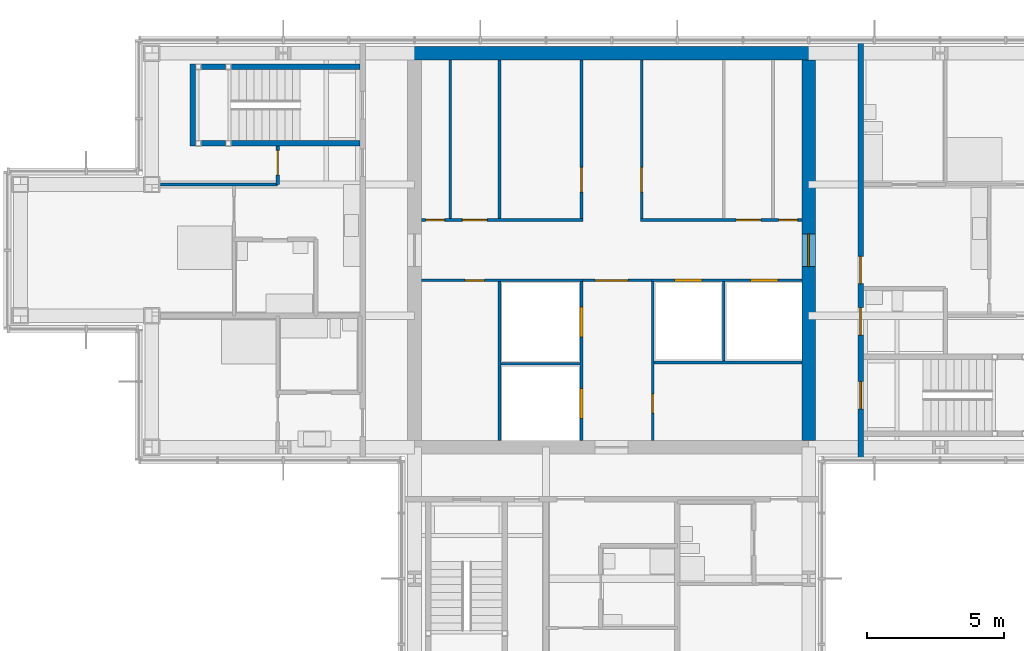
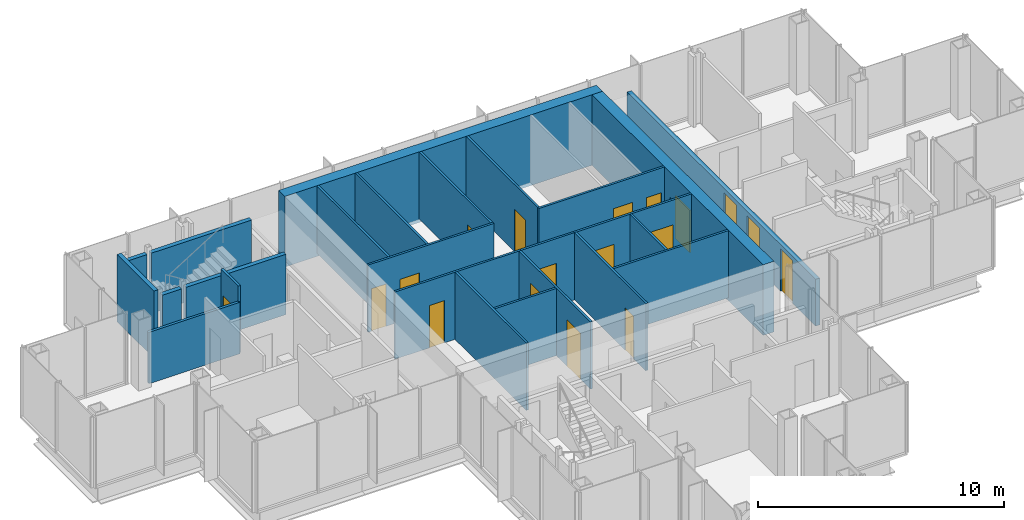
# One storey, part 11 of 15: 25 walls, 18 doors, 18 openings.
"""IFC4 building model written with IfcOpenShell, lengths in metres."""

from ifc_helpers import new_model, si_unit, direction, frame, frame_2d, origin, place, context, subcontext, project, spatial, rectangle, extrude, material, layer, layer_set, type_object, element, fill, save


model = new_model("IFC4")

# Units and contexts
model_context = context("Model", 3, precision=1e-05, world=origin(), true_north=direction((0.0, 1.0)))
body_context = subcontext(model_context, "Body", "Model", "MODEL_VIEW")
ifc_project = project(units=[si_unit("LENGTHUNIT", "METRE"), si_unit("AREAUNIT", "SQUARE_METRE"), si_unit("VOLUMEUNIT", "CUBIC_METRE"), si_unit("PLANEANGLEUNIT", "RADIAN"), si_unit("MASSUNIT", "GRAM", prefix="KILO")], contexts=[model_context])

# Site, building, storey
site_placement = place(None, origin())
site = spatial("IfcSite", under=ifc_project, at=site_placement, CompositionType="ELEMENT")
building_placement = place(site_placement, origin())
building = spatial("IfcBuilding", under=site, at=building_placement, Name="Kvirike Care Tower", CompositionType="ELEMENT")
storey_placement = place(building_placement, frame((0.0, 0.0, 205.0)))
storey = spatial("IfcBuildingStorey", under=building, at=storey_placement, Name="L56", CompositionType="ELEMENT", Elevation=205.0)

# Wall
ifc_material_1 = material(Name="Concrete C40/50", Category="concrete")
ifc_layer_1 = layer(ifc_material_1, 0.5)
ifc_layer_set_1 = layer_set([ifc_layer_1], Name="CORE WALL 500 C40-50")
wall_type_1 = type_object("IfcWallType", Name="CORE WALL 500 C40-50", PredefinedType="SHEAR", material=ifc_layer_set_1)
wall_1_placement = place(storey_placement, frame((29.050048828125, 43.199951171875, -0.169921875), z_axis=(0.0, 0.0, 1.0), x_axis=(-1.0, 0.0, 0.0)))
element("IfcWall", 1, at=wall_1_placement, inside=storey, type_object=wall_type_1, Name="Core wall N L56", PredefinedType="SHEAR", context=body_context, shape_type="SweptSolid", body=[
    extrude(rectangle(XDim=14.900146484375, YDim=0.5, at=frame_2d((7.4501953125, 0.0))), origin(), (0.0, 0.0, 1.0), 3.5),
])

# Wall, opening, door
wall_2_placement = place(storey_placement, frame((28.800048828125, 29.050048828125, -0.169921875), z_axis=(0.0, 0.0, 1.0), x_axis=(0.0, 1.0, 0.0)))
wall_2 = element("IfcWall", 2, at=wall_2_placement, inside=storey, type_object=wall_type_1, Name="Core wall E L56", PredefinedType="SHEAR", context=body_context, shape_type="SweptSolid", body=[
    extrude(rectangle(XDim=13.89990234375, YDim=0.5, at=frame_2d((6.949951171875, 0.0))), origin(), (0.0, 0.0, 1.0), 3.5),
])
opening_1_placement = place(wall_2_placement, frame((6.35009765625, 0.0, 0.169921875)))
opening_1 = element("IfcOpeningElement", 3, at=opening_1_placement, cuts=wall_2, Name="Opening 56-039", PredefinedType="OPENING", context=body_context, shape_type="SweptSolid", body=[
    extrude(rectangle(XDim=1.199951171875, YDim=2.10009765625, at=frame_2d((0.60009765625, 1.050048828125))), frame((0.0, 0.260498046875, 0.0), z_axis=(0.0, -1.0, 0.0), x_axis=(1.0, 0.0, 0.0)), (0.0, 0.0, 1.0), 0.52099609375),
])
ifc_material_2 = material(Name="Timber door set", Category="wood")
door_type_1 = type_object("IfcDoorType", Name="CORE DOOR 1200", OperationType="SINGLE_SWING_LEFT", PredefinedType="DOOR", material=ifc_material_2)
door_1_placement = place(opening_1_placement, origin())
door_1 = element("IfcDoor", 4, at=door_1_placement, inside=storey, type_object=door_type_1, Name="Core door E L56", OperationType="SINGLE_SWING_LEFT", OverallHeight=2.10009765625, OverallWidth=1.199951171875, PredefinedType="DOOR", context=body_context, shape_type="SweptSolid", body=[
    extrude(rectangle(XDim=1.199951171875, YDim=2.10009765625, at=frame_2d((0.60009765625, 1.050048828125))), frame((0.0, 0.02685546875, 0.0), z_axis=(0.0, -1.0, 0.0), x_axis=(1.0, 0.0, 0.0)), (0.0, 0.0, 1.0), 0.053955078125),
])
fill(opening_1, door_1)

# Wall, openings, doors
ifc_material_3 = material(Name="Plasterboard corridor wall", Category="gypsum")
ifc_layer_2 = layer(ifc_material_3, 0.199951171875)
ifc_layer_set_2 = layer_set([ifc_layer_2], Name="CORRIDOR WALL 200")
wall_type_2 = type_object("IfcWallType", Name="CORRIDOR WALL 200", PredefinedType="PARTITIONING", material=ifc_layer_set_2)
wall_3_placement = place(storey_placement, frame((30.699951171875, 28.344970703125, 0.0), z_axis=(0.0, 0.0, 1.0), x_axis=(0.0, 1.0, 0.0)))
wall_3 = element("IfcWall", 5, at=wall_3_placement, inside=storey, type_object=wall_type_2, Name="Corridor Wall 200 L56", PredefinedType="PARTITIONING", context=body_context, shape_type="SweptSolid", body=[
    extrude(rectangle(XDim=15.31005859375, YDim=0.199951171875, at=frame_2d((7.655029296875, 0.0))), origin(), (0.0, 0.0, 1.0), 2.320068359375),
])
opening_2_placement = place(wall_3_placement, frame((1.85498046875, 0.0, 0.0)))
opening_2 = element("IfcOpeningElement", 6, at=opening_2_placement, cuts=wall_3, Name="Opening 56-021", PredefinedType="OPENING", context=body_context, shape_type="SweptSolid", body=[
    extrude(rectangle(XDim=1.0, YDim=2.10009765625, at=frame_2d((0.5, 1.050048828125))), frame((0.0, 0.110595703125, 0.0), z_axis=(0.0, -1.0, 0.0), x_axis=(1.0, 0.0, 0.0)), (0.0, 0.0, 1.0), 0.220947265625),
])
opening_3_placement = place(wall_3_placement, frame((4.554931640625, 0.0, 0.0)))
opening_3 = element("IfcOpeningElement", 7, at=opening_3_placement, cuts=wall_3, Name="Opening 56-022", PredefinedType="OPENING", context=body_context, shape_type="SweptSolid", body=[
    extrude(rectangle(XDim=1.0, YDim=2.10009765625, at=frame_2d((0.5, 1.050048828125))), frame((0.0, 0.110595703125, 0.0), z_axis=(0.0, -1.0, 0.0), x_axis=(1.0, 0.0, 0.0)), (0.0, 0.0, 1.0), 0.220947265625),
])
opening_4_placement = place(wall_3_placement, frame((6.429931640625, 0.0, 0.0)))
opening_4 = element("IfcOpeningElement", 8, at=opening_4_placement, cuts=wall_3, Name="Opening 56-023", PredefinedType="OPENING", context=body_context, shape_type="SweptSolid", body=[
    extrude(rectangle(XDim=1.0, YDim=2.10009765625, at=frame_2d((0.5, 1.050048828125))), frame((0.0, 0.110595703125, 0.0), z_axis=(0.0, -1.0, 0.0), x_axis=(1.0, 0.0, 0.0)), (0.0, 0.0, 1.0), 0.220947265625),
])
ifc_material_4 = material(Name="Timber door set", Category="wood")
door_type_2 = type_object("IfcDoorType", Name="FLAT ENTRANCE DOOR 1000", OperationType="SINGLE_SWING_LEFT", PredefinedType="DOOR", material=ifc_material_4)
door_2_placement = place(opening_4_placement, frame((1.0, 0.0, 0.0), z_axis=(0.0, 0.0, 1.0), x_axis=(-1.0, 0.0, 0.0)))
door_2 = element("IfcDoor", 9, at=door_2_placement, inside=storey, type_object=door_type_2, Name="Two-bedroom apartment entrance", OperationType="SINGLE_SWING_LEFT", OverallHeight=2.10009765625, OverallWidth=1.0, PredefinedType="DOOR", context=body_context, shape_type="SweptSolid", body=[
    extrude(rectangle(XDim=1.0, YDim=2.10009765625, at=frame_2d((0.5, 1.050048828125))), frame((0.0, 0.02685546875, 0.0), z_axis=(0.0, -1.0, 0.0), x_axis=(1.0, 0.0, 0.0)), (0.0, 0.0, 1.0), 0.053955078125),
])
fill(opening_4, door_2)
ifc_material_5 = material(Name="Timber door set", Category="wood")
door_type_3 = type_object("IfcDoorType", Name="STAIR DOOR 1000", OperationType="SINGLE_SWING_LEFT", PredefinedType="DOOR", material=ifc_material_5)
door_3_placement = place(opening_2_placement, frame((1.0, 0.0, 0.0), z_axis=(0.0, 0.0, 1.0), x_axis=(-1.0, 0.0, 0.0)))
door_3 = element("IfcDoor", 10, at=door_3_placement, inside=storey, type_object=door_type_3, Name="Stair 2 door", OperationType="SINGLE_SWING_RIGHT", OverallHeight=2.10009765625, OverallWidth=1.0, PredefinedType="DOOR", context=body_context, shape_type="SweptSolid", body=[
    extrude(rectangle(XDim=1.0, YDim=2.10009765625, at=frame_2d((0.5, 1.050048828125))), frame((0.0, 0.031982421875, 0.0), z_axis=(0.0, -1.0, 0.0), x_axis=(1.0, 0.0, 0.0)), (0.0, 0.0, 1.0), 0.06396484375),
])
fill(opening_2, door_3)
ifc_material_6 = material(Name="Timber door set", Category="wood")
door_type_4 = type_object("IfcDoorType", Name="WC DOOR 1000", OperationType="SINGLE_SWING_LEFT", PredefinedType="DOOR", material=ifc_material_6)
door_4_placement = place(opening_3_placement, frame((1.0, 0.0, 0.0), z_axis=(0.0, 0.0, 1.0), x_axis=(-1.0, 0.0, 0.0)))
door_4 = element("IfcDoor", 11, at=door_4_placement, inside=storey, type_object=door_type_4, Name="Accessible WC door", OperationType="SINGLE_SWING_LEFT", OverallHeight=2.10009765625, OverallWidth=1.0, PredefinedType="DOOR", context=body_context, shape_type="SweptSolid", body=[
    extrude(rectangle(XDim=1.0, YDim=2.10009765625, at=frame_2d((0.5, 1.050048828125))), frame((0.0, 0.02685546875, 0.0), z_axis=(0.0, -1.0, 0.0), x_axis=(1.0, 0.0, 0.0)), (0.0, 0.0, 1.0), 0.053955078125),
])
fill(opening_3, door_4)

# Wall, opening, door
ifc_material_7 = material(Name="Plasterboard partition", Category="gypsum")
ifc_layer_3 = layer(ifc_material_7, 0.1201171875)
ifc_layer_set_3 = layer_set([ifc_layer_3], Name="PARTITION 120")
wall_type_3 = type_object("IfcWallType", Name="PARTITION 120", PredefinedType="PARTITIONING", material=ifc_layer_set_3)
wall_4_placement = place(storey_placement, frame((9.39990234375, 39.800048828125, 0.0), z_axis=(0.0, 0.0, 1.0), x_axis=(0.0, -1.0, 0.0)))
wall_4 = element("IfcWall", 12, at=wall_4_placement, inside=storey, type_object=wall_type_3, Name="Partition 120 L56", PredefinedType="PARTITIONING", context=body_context, shape_type="SweptSolid", body=[
    extrude(rectangle(XDim=1.400146484375, YDim=0.1201171875, at=frame_2d((0.7001953125, 0.0))), origin(), (0.0, 0.0, 1.0), 3.330078125),
])
opening_5_placement = place(wall_4_placement, frame((0.14990234375, 0.0, 0.0)))
opening_5 = element("IfcOpeningElement", 13, at=opening_5_placement, cuts=wall_4, Name="Opening 56-002", PredefinedType="OPENING", context=body_context, shape_type="SweptSolid", body=[
    extrude(rectangle(XDim=0.89990234375, YDim=2.10009765625, at=frame_2d((0.449951171875, 1.050048828125))), frame((0.0, 0.070556640625, 0.0), z_axis=(0.0, -1.0, 0.0), x_axis=(1.0, 0.0, 0.0)), (0.0, 0.0, 1.0), 0.14111328125),
])
ifc_material_8 = material(Name="Timber door set", Category="wood")
door_type_5 = type_object("IfcDoorType", Name="INTERNAL DOOR 900", OperationType="SINGLE_SWING_LEFT", PredefinedType="DOOR", material=ifc_material_8)
door_5_placement = place(opening_5_placement, frame((0.89990234375, 0.0, 0.0), z_axis=(0.0, 0.0, 1.0), x_axis=(-1.0, 0.0, 0.0)))
door_5 = element("IfcDoor", 14, at=door_5_placement, inside=storey, type_object=door_type_5, Name="Apartment living room door", OperationType="SINGLE_SWING_LEFT", OverallHeight=2.10009765625, OverallWidth=0.89990234375, PredefinedType="DOOR", context=body_context, shape_type="SweptSolid", body=[
    extrude(rectangle(XDim=0.89990234375, YDim=2.10009765625, at=frame_2d((0.449951171875, 1.050048828125))), frame((0.0, 0.02197265625, 0.0), z_axis=(0.0, -1.0, 0.0), x_axis=(1.0, 0.0, 0.0)), (0.0, 0.0, 1.0), 0.0439453125),
])
fill(opening_5, door_5)

# Walls
wall_5_placement = place(storey_placement, frame((5.1201171875, 38.39990234375, 0.0), z_axis=(0.0, 0.0, 1.0), x_axis=(1.0, 0.0, 0.0)))
element("IfcWall", 15, at=wall_5_placement, inside=storey, type_object=wall_type_3, Name="Partition 120 L56", PredefinedType="PARTITIONING", context=body_context, shape_type="SweptSolid", body=[
    extrude(rectangle(XDim=4.27978515625, YDim=0.1201171875, at=frame_2d((2.139892578125, 0.0))), origin(), (0.0, 0.0, 1.0), 2.550048828125),
])
ifc_material_9 = material(Name="Gypsum shaft wall system", Category="gypsum")
ifc_layer_4 = layer(ifc_material_9, 0.10009765625)
ifc_layer_set_4 = layer_set([ifc_layer_4], Name="SHAFT WALL 100")
wall_type_4 = type_object("IfcWallType", Name="SHAFT WALL 100", PredefinedType="SOLIDWALL", material=ifc_layer_set_4)
wall_6_placement = place(storey_placement, frame((15.699951171875, 37.14990234375, 0.0), z_axis=(0.0, 0.0, 1.0), x_axis=(0.0, 1.0, 0.0)))
element("IfcWall", 16, at=wall_6_placement, inside=storey, type_object=wall_type_4, Name="Shaft Wall 100 L56", PredefinedType="SOLIDWALL", context=body_context, shape_type="SweptSolid", body=[
    extrude(rectangle(XDim=5.800048828125, YDim=0.10009765625, at=frame_2d((2.89990234375, 0.0))), origin(), (0.0, 0.0, 1.0), 3.330078125),
])

# Wall, openings, doors
wall_7_placement = place(storey_placement, frame((20.5, 29.050048828125, 0.0), z_axis=(0.0, 0.0, 1.0), x_axis=(0.0, 1.0, 0.0)))
wall_7 = element("IfcWall", 17, at=wall_7_placement, inside=storey, type_object=wall_type_4, Name="Shaft Wall 100 L56", PredefinedType="SOLIDWALL", context=body_context, shape_type="SweptSolid", body=[
    extrude(rectangle(XDim=5.800048828125, YDim=0.10009765625, at=frame_2d((2.89990234375, 0.0))), origin(), (0.0, 0.0, 1.0), 3.330078125),
])
opening_6_placement = place(wall_7_placement, frame((0.800048828125, 0.0, 0.0)))
opening_6 = element("IfcOpeningElement", 18, at=opening_6_placement, cuts=wall_7, Name="Opening 56-024", PredefinedType="OPENING", context=body_context, shape_type="SweptSolid", body=[
    extrude(rectangle(XDim=1.10009765625, YDim=2.300048828125, at=frame_2d((0.550048828125, 1.14990234375))), frame((0.0, 0.060546875, 0.0), z_axis=(0.0, -1.0, 0.0), x_axis=(1.0, 0.0, 0.0)), (0.0, 0.0, 1.0), 0.12109375),
])
opening_7_placement = place(wall_7_placement, frame((3.77490234375, 0.0, 0.0)))
opening_7 = element("IfcOpeningElement", 19, at=opening_7_placement, cuts=wall_7, Name="Opening 56-025", PredefinedType="OPENING", context=body_context, shape_type="SweptSolid", body=[
    extrude(rectangle(XDim=1.10009765625, YDim=2.300048828125, at=frame_2d((0.550048828125, 1.14990234375))), frame((0.0, 0.060546875, 0.0), z_axis=(0.0, -1.0, 0.0), x_axis=(1.0, 0.0, 0.0)), (0.0, 0.0, 1.0), 0.12109375),
])
ifc_material_10 = material(Name="Aluminium door frame", Category="aluminium")
door_type_6 = type_object("IfcDoorType", Name="FIRE-FIGHTING LIFT LANDING DOOR 1100", OperationType="SLIDING_TO_LEFT", PredefinedType="DOOR", material=ifc_material_10)
door_6_placement = place(opening_6_placement, origin())
door_6 = element("IfcDoor", 20, at=door_6_placement, inside=storey, type_object=door_type_6, Name="Lift FF1 landing door", OperationType="SLIDING_TO_LEFT", OverallHeight=2.300048828125, OverallWidth=1.10009765625, PredefinedType="DOOR", context=body_context, shape_type="SweptSolid", body=[
    extrude(rectangle(XDim=1.10009765625, YDim=2.300048828125, at=frame_2d((0.550048828125, 1.14990234375))), frame((0.0, 0.0498046875, 0.0), z_axis=(0.0, -1.0, 0.0), x_axis=(1.0, 0.0, 0.0)), (0.0, 0.0, 1.0), 0.099609375),
])
fill(opening_6, door_6)
door_7_placement = place(opening_7_placement, origin())
door_7 = element("IfcDoor", 21, at=door_7_placement, inside=storey, type_object=door_type_6, Name="Lift FF2 landing door", OperationType="SLIDING_TO_LEFT", OverallHeight=2.300048828125, OverallWidth=1.10009765625, PredefinedType="DOOR", context=body_context, shape_type="SweptSolid", body=[
    extrude(rectangle(XDim=1.10009765625, YDim=2.300048828125, at=frame_2d((0.550048828125, 1.14990234375))), frame((0.0, 0.0498046875, 0.0), z_axis=(0.0, -1.0, 0.0), x_axis=(1.0, 0.0, 0.0)), (0.0, 0.0, 1.0), 0.099609375),
])
fill(opening_7, door_7)

# Wall, opening, door
wall_8_placement = place(storey_placement, frame((20.5, 37.14990234375, 0.0), z_axis=(0.0, 0.0, 1.0), x_axis=(0.0, 1.0, 0.0)))
wall_8 = element("IfcWall", 22, at=wall_8_placement, inside=storey, type_object=wall_type_4, Name="Shaft Wall 100 L56", PredefinedType="SOLIDWALL", context=body_context, shape_type="SweptSolid", body=[
    extrude(rectangle(XDim=5.800048828125, YDim=0.10009765625, at=frame_2d((2.89990234375, 0.0))), origin(), (0.0, 0.0, 1.0), 3.330078125),
])
opening_8_placement = place(wall_8_placement, frame((0.97509765625, 0.0, 0.0)))
opening_8 = element("IfcOpeningElement", 23, at=opening_8_placement, cuts=wall_8, Name="Opening 56-026", PredefinedType="OPENING", context=body_context, shape_type="SweptSolid", body=[
    extrude(rectangle(XDim=0.89990234375, YDim=2.10009765625, at=frame_2d((0.449951171875, 1.050048828125))), frame((0.0, 0.060546875, 0.0), z_axis=(0.0, -1.0, 0.0), x_axis=(1.0, 0.0, 0.0)), (0.0, 0.0, 1.0), 0.12109375),
])
ifc_material_11 = material(Name="Timber door set", Category="wood")
door_type_7 = type_object("IfcDoorType", Name="STORE DOOR 900", OperationType="SINGLE_SWING_LEFT", PredefinedType="DOOR", material=ifc_material_11)
door_8_placement = place(opening_8_placement, origin())
door_8 = element("IfcDoor", 24, at=door_8_placement, inside=storey, type_object=door_type_7, Name="Staff room door", OperationType="SINGLE_SWING_RIGHT", OverallHeight=2.10009765625, OverallWidth=0.89990234375, PredefinedType="DOOR", context=body_context, shape_type="SweptSolid", body=[
    extrude(rectangle(XDim=0.89990234375, YDim=2.10009765625, at=frame_2d((0.449951171875, 1.050048828125))), frame((0.0, 0.02685546875, 0.0), z_axis=(0.0, -1.0, 0.0), x_axis=(1.0, 0.0, 0.0)), (0.0, 0.0, 1.0), 0.053955078125),
])
fill(opening_8, door_8)

wall_9_placement = place(storey_placement, frame((22.699951171875, 37.14990234375, 0.0), z_axis=(0.0, 0.0, 1.0), x_axis=(0.0, 1.0, 0.0)))
wall_9 = element("IfcWall", 25, at=wall_9_placement, inside=storey, type_object=wall_type_4, Name="Shaft Wall 100 L56", PredefinedType="SOLIDWALL", context=body_context, shape_type="SweptSolid", body=[
    extrude(rectangle(XDim=5.800048828125, YDim=0.10009765625, at=frame_2d((2.89990234375, 0.0))), origin(), (0.0, 0.0, 1.0), 3.330078125),
])
opening_9_placement = place(wall_9_placement, frame((0.97509765625, 0.0, 0.0)))
opening_9 = element("IfcOpeningElement", 26, at=opening_9_placement, cuts=wall_9, Name="Opening 56-027", PredefinedType="OPENING", context=body_context, shape_type="SweptSolid", body=[
    extrude(rectangle(XDim=0.89990234375, YDim=2.10009765625, at=frame_2d((0.449951171875, 1.050048828125))), frame((0.0, 0.060546875, 0.0), z_axis=(0.0, -1.0, 0.0), x_axis=(1.0, 0.0, 0.0)), (0.0, 0.0, 1.0), 0.12109375),
])
door_9_placement = place(opening_9_placement, frame((0.89990234375, 0.0, 0.0), z_axis=(0.0, 0.0, 1.0), x_axis=(-1.0, 0.0, 0.0)))
door_9 = element("IfcDoor", 27, at=door_9_placement, inside=storey, type_object=door_type_7, Name="Records store door", OperationType="SINGLE_SWING_LEFT", OverallHeight=2.10009765625, OverallWidth=0.89990234375, PredefinedType="DOOR", context=body_context, shape_type="SweptSolid", body=[
    extrude(rectangle(XDim=0.89990234375, YDim=2.10009765625, at=frame_2d((0.449951171875, 1.050048828125))), frame((0.0, 0.02685546875, 0.0), z_axis=(0.0, -1.0, 0.0), x_axis=(1.0, 0.0, 0.0)), (0.0, 0.0, 1.0), 0.053955078125),
])
fill(opening_9, door_9)

wall_10_placement = place(storey_placement, frame((23.10009765625, 29.050048828125, 0.0), z_axis=(0.0, 0.0, 1.0), x_axis=(0.0, 1.0, 0.0)))
wall_10 = element("IfcWall", 28, at=wall_10_placement, inside=storey, type_object=wall_type_4, Name="Shaft Wall 100 L56", PredefinedType="SOLIDWALL", context=body_context, shape_type="SweptSolid", body=[
    extrude(rectangle(XDim=5.800048828125, YDim=0.10009765625, at=frame_2d((2.89990234375, 0.0))), origin(), (0.0, 0.0, 1.0), 3.330078125),
])
opening_10_placement = place(wall_10_placement, frame((1.0, 0.0, 0.0)))
opening_10 = element("IfcOpeningElement", 29, at=opening_10_placement, cuts=wall_10, Name="Opening 56-028", PredefinedType="OPENING", context=body_context, shape_type="SweptSolid", body=[
    extrude(rectangle(XDim=0.699951171875, YDim=2.10009765625, at=frame_2d((0.35009765625, 1.050048828125))), frame((0.0, 0.060546875, 0.0), z_axis=(0.0, -1.0, 0.0), x_axis=(1.0, 0.0, 0.0)), (0.0, 0.0, 1.0), 0.12109375),
])
ifc_material_12 = material(Name="Timber door set", Category="wood")
door_type_8 = type_object("IfcDoorType", Name="RISER DOOR 700", OperationType="SINGLE_SWING_LEFT", PredefinedType="DOOR", material=ifc_material_12)
door_10_placement = place(opening_10_placement, origin())
door_10 = element("IfcDoor", 30, at=door_10_placement, inside=storey, type_object=door_type_8, Name="Riser door", OperationType="SINGLE_SWING_RIGHT", OverallHeight=2.10009765625, OverallWidth=0.699951171875, PredefinedType="DOOR", context=body_context, shape_type="SweptSolid", body=[
    extrude(rectangle(XDim=0.699951171875, YDim=2.10009765625, at=frame_2d((0.35009765625, 1.050048828125))), frame((0.0, 0.02685546875, 0.0), z_axis=(0.0, -1.0, 0.0), x_axis=(1.0, 0.0, 0.0)), (0.0, 0.0, 1.0), 0.053955078125),
])
fill(opening_10, door_10)

wall_11_placement = place(storey_placement, frame((14.64990234375, 34.89990234375, 0.0), z_axis=(0.0, 0.0, 1.0), x_axis=(1.0, 0.0, 0.0)))
wall_11 = element("IfcWall", 31, at=wall_11_placement, inside=storey, type_object=wall_type_4, Name="Shaft Wall 100 L56", PredefinedType="SOLIDWALL", context=body_context, shape_type="SweptSolid", body=[
    extrude(rectangle(XDim=5.900146484375, YDim=0.10009765625, at=frame_2d((2.9501953125, 0.0))), origin(), (0.0, 0.0, 1.0), 3.330078125),
])
opening_11_placement = place(wall_11_placement, frame((1.60009765625, 0.0, 0.0)))
opening_11 = element("IfcOpeningElement", 32, at=opening_11_placement, cuts=wall_11, Name="Opening 56-029", PredefinedType="OPENING", context=body_context, shape_type="SweptSolid", body=[
    extrude(rectangle(XDim=0.699951171875, YDim=2.10009765625, at=frame_2d((0.35009765625, 1.050048828125))), frame((0.0, 0.060546875, 0.0), z_axis=(0.0, -1.0, 0.0), x_axis=(1.0, 0.0, 0.0)), (0.0, 0.0, 1.0), 0.12109375),
])
door_11_placement = place(opening_11_placement, frame((0.699951171875, 0.0, 0.0), z_axis=(0.0, 0.0, 1.0), x_axis=(-1.0, 0.0, 0.0)))
door_11 = element("IfcDoor", 33, at=door_11_placement, inside=storey, type_object=door_type_8, Name="Riser door", OperationType="SINGLE_SWING_RIGHT", OverallHeight=2.10009765625, OverallWidth=0.699951171875, PredefinedType="DOOR", context=body_context, shape_type="SweptSolid", body=[
    extrude(rectangle(XDim=0.699951171875, YDim=2.10009765625, at=frame_2d((0.35009765625, 1.050048828125))), frame((0.0, 0.02685546875, 0.0), z_axis=(0.0, -1.0, 0.0), x_axis=(1.0, 0.0, 0.0)), (0.0, 0.0, 1.0), 0.053955078125),
])
fill(opening_11, door_11)

# Wall, openings, doors
wall_12_placement = place(storey_placement, frame((23.050048828125, 34.89990234375, 0.0), z_axis=(0.0, 0.0, 1.0), x_axis=(1.0, 0.0, 0.0)))
wall_12 = element("IfcWall", 34, at=wall_12_placement, inside=storey, type_object=wall_type_4, Name="Shaft Wall 100 L56", PredefinedType="SOLIDWALL", context=body_context, shape_type="SweptSolid", body=[
    extrude(rectangle(XDim=5.5, YDim=0.10009765625, at=frame_2d((2.75, 0.0))), origin(), (0.0, 0.0, 1.0), 3.330078125),
])
opening_12_placement = place(wall_12_placement, frame((0.85009765625, 0.0, 0.0)))
opening_12 = element("IfcOpeningElement", 35, at=opening_12_placement, cuts=wall_12, Name="Opening 56-030", PredefinedType="OPENING", context=body_context, shape_type="SweptSolid", body=[
    extrude(rectangle(XDim=1.0, YDim=2.10009765625, at=frame_2d((0.5, 1.050048828125))), frame((0.0, 0.060546875, 0.0), z_axis=(0.0, -1.0, 0.0), x_axis=(1.0, 0.0, 0.0)), (0.0, 0.0, 1.0), 0.12109375),
])
opening_13_placement = place(wall_12_placement, frame((3.625, 0.0, 0.0)))
opening_13 = element("IfcOpeningElement", 36, at=opening_13_placement, cuts=wall_12, Name="Opening 56-031", PredefinedType="OPENING", context=body_context, shape_type="SweptSolid", body=[
    extrude(rectangle(XDim=1.0, YDim=2.10009765625, at=frame_2d((0.5, 1.050048828125))), frame((0.0, 0.060546875, 0.0), z_axis=(0.0, -1.0, 0.0), x_axis=(1.0, 0.0, 0.0)), (0.0, 0.0, 1.0), 0.12109375),
])
ifc_material_13 = material(Name="Aluminium door frame", Category="aluminium")
door_type_9 = type_object("IfcDoorType", Name="LIFT LANDING DOOR 1000", OperationType="SLIDING_TO_LEFT", PredefinedType="DOOR", material=ifc_material_13)
door_12_placement = place(opening_12_placement, origin())
door_12 = element("IfcDoor", 37, at=door_12_placement, inside=storey, type_object=door_type_9, Name="Lift P5 landing door", OperationType="SLIDING_TO_LEFT", OverallHeight=2.10009765625, OverallWidth=1.0, PredefinedType="DOOR", context=body_context, shape_type="SweptSolid", body=[
    extrude(rectangle(XDim=1.0, YDim=2.10009765625, at=frame_2d((0.5, 1.050048828125))), frame((0.0, 0.0498046875, 0.0), z_axis=(0.0, -1.0, 0.0), x_axis=(1.0, 0.0, 0.0)), (0.0, 0.0, 1.0), 0.099609375),
])
fill(opening_12, door_12)
door_13_placement = place(opening_13_placement, origin())
door_13 = element("IfcDoor", 38, at=door_13_placement, inside=storey, type_object=door_type_9, Name="Lift P6 landing door", OperationType="SLIDING_TO_LEFT", OverallHeight=2.10009765625, OverallWidth=1.0, PredefinedType="DOOR", context=body_context, shape_type="SweptSolid", body=[
    extrude(rectangle(XDim=1.0, YDim=2.10009765625, at=frame_2d((0.5, 1.050048828125))), frame((0.0, 0.0498046875, 0.0), z_axis=(0.0, -1.0, 0.0), x_axis=(1.0, 0.0, 0.0)), (0.0, 0.0, 1.0), 0.099609375),
])
fill(opening_13, door_13)

wall_13_placement = place(storey_placement, frame((14.64990234375, 37.10009765625, 0.0), z_axis=(0.0, 0.0, 1.0), x_axis=(1.0, 0.0, 0.0)))
wall_13 = element("IfcWall", 39, at=wall_13_placement, inside=storey, type_object=wall_type_4, Name="Shaft Wall 100 L56", PredefinedType="SOLIDWALL", context=body_context, shape_type="SweptSolid", body=[
    extrude(rectangle(XDim=5.900146484375, YDim=0.10009765625, at=frame_2d((2.9501953125, 0.0))), origin(), (0.0, 0.0, 1.0), 3.330078125),
])
opening_14_placement = place(wall_13_placement, frame((0.14990234375, 0.0, 0.0)))
opening_14 = element("IfcOpeningElement", 40, at=opening_14_placement, cuts=wall_13, Name="Opening 56-032", PredefinedType="OPENING", context=body_context, shape_type="SweptSolid", body=[
    extrude(rectangle(XDim=0.699951171875, YDim=2.10009765625, at=frame_2d((0.35009765625, 1.050048828125))), frame((0.0, 0.060546875, 0.0), z_axis=(0.0, -1.0, 0.0), x_axis=(1.0, 0.0, 0.0)), (0.0, 0.0, 1.0), 0.12109375),
])
opening_15_placement = place(wall_13_placement, frame((1.5, 0.0, 0.0)))
opening_15 = element("IfcOpeningElement", 41, at=opening_15_placement, cuts=wall_13, Name="Opening 56-033", PredefinedType="OPENING", context=body_context, shape_type="SweptSolid", body=[
    extrude(rectangle(XDim=0.89990234375, YDim=2.10009765625, at=frame_2d((0.449951171875, 1.050048828125))), frame((0.0, 0.060546875, 0.0), z_axis=(0.0, -1.0, 0.0), x_axis=(1.0, 0.0, 0.0)), (0.0, 0.0, 1.0), 0.12109375),
])
door_14_placement = place(opening_14_placement, origin())
door_14 = element("IfcDoor", 42, at=door_14_placement, inside=storey, type_object=door_type_8, Name="Riser door", OperationType="SINGLE_SWING_LEFT", OverallHeight=2.10009765625, OverallWidth=0.699951171875, PredefinedType="DOOR", context=body_context, shape_type="SweptSolid", body=[
    extrude(rectangle(XDim=0.699951171875, YDim=2.10009765625, at=frame_2d((0.35009765625, 1.050048828125))), frame((0.0, 0.02685546875, 0.0), z_axis=(0.0, -1.0, 0.0), x_axis=(1.0, 0.0, 0.0)), (0.0, 0.0, 1.0), 0.053955078125),
])
fill(opening_14, door_14)
door_15_placement = place(opening_15_placement, origin())
door_15 = element("IfcDoor", 43, at=door_15_placement, inside=storey, type_object=door_type_7, Name="Linen store door", OperationType="SINGLE_SWING_LEFT", OverallHeight=2.10009765625, OverallWidth=0.89990234375, PredefinedType="DOOR", context=body_context, shape_type="SweptSolid", body=[
    extrude(rectangle(XDim=0.89990234375, YDim=2.10009765625, at=frame_2d((0.449951171875, 1.050048828125))), frame((0.0, 0.02685546875, 0.0), z_axis=(0.0, -1.0, 0.0), x_axis=(1.0, 0.0, 0.0)), (0.0, 0.0, 1.0), 0.053955078125),
])
fill(opening_15, door_15)

wall_14_placement = place(storey_placement, frame((22.64990234375, 37.10009765625, 0.0), z_axis=(0.0, 0.0, 1.0), x_axis=(1.0, 0.0, 0.0)))
wall_14 = element("IfcWall", 44, at=wall_14_placement, inside=storey, type_object=wall_type_4, Name="Shaft Wall 100 L56", PredefinedType="SOLIDWALL", context=body_context, shape_type="SweptSolid", body=[
    extrude(rectangle(XDim=5.900146484375, YDim=0.10009765625, at=frame_2d((2.9501953125, 0.0))), origin(), (0.0, 0.0, 1.0), 3.330078125),
])
opening_16_placement = place(wall_14_placement, frame((3.5, 0.0, 0.0)))
opening_16 = element("IfcOpeningElement", 45, at=opening_16_placement, cuts=wall_14, Name="Opening 56-034", PredefinedType="OPENING", context=body_context, shape_type="SweptSolid", body=[
    extrude(rectangle(XDim=0.89990234375, YDim=2.10009765625, at=frame_2d((0.449951171875, 1.050048828125))), frame((0.0, 0.060546875, 0.0), z_axis=(0.0, -1.0, 0.0), x_axis=(1.0, 0.0, 0.0)), (0.0, 0.0, 1.0), 0.12109375),
])
opening_17_placement = place(wall_14_placement, frame((5.050048828125, 0.0, 0.0)))
opening_17 = element("IfcOpeningElement", 46, at=opening_17_placement, cuts=wall_14, Name="Opening 56-035", PredefinedType="OPENING", context=body_context, shape_type="SweptSolid", body=[
    extrude(rectangle(XDim=0.699951171875, YDim=2.10009765625, at=frame_2d((0.35009765625, 1.050048828125))), frame((0.0, 0.060546875, 0.0), z_axis=(0.0, -1.0, 0.0), x_axis=(1.0, 0.0, 0.0)), (0.0, 0.0, 1.0), 0.12109375),
])
door_16_placement = place(opening_17_placement, origin())
door_16 = element("IfcDoor", 47, at=door_16_placement, inside=storey, type_object=door_type_8, Name="Riser door", OperationType="SINGLE_SWING_RIGHT", OverallHeight=2.10009765625, OverallWidth=0.699951171875, PredefinedType="DOOR", context=body_context, shape_type="SweptSolid", body=[
    extrude(rectangle(XDim=0.699951171875, YDim=2.10009765625, at=frame_2d((0.35009765625, 1.050048828125))), frame((0.0, 0.02685546875, 0.0), z_axis=(0.0, -1.0, 0.0), x_axis=(1.0, 0.0, 0.0)), (0.0, 0.0, 1.0), 0.053955078125),
])
fill(opening_17, door_16)
door_17_placement = place(opening_16_placement, origin())
door_17 = element("IfcDoor", 48, at=door_17_placement, inside=storey, type_object=door_type_7, Name="IT room door", OperationType="SINGLE_SWING_LEFT", OverallHeight=2.10009765625, OverallWidth=0.89990234375, PredefinedType="DOOR", context=body_context, shape_type="SweptSolid", body=[
    extrude(rectangle(XDim=0.89990234375, YDim=2.10009765625, at=frame_2d((0.449951171875, 1.050048828125))), frame((0.0, 0.02685546875, 0.0), z_axis=(0.0, -1.0, 0.0), x_axis=(1.0, 0.0, 0.0)), (0.0, 0.0, 1.0), 0.053955078125),
])
fill(opening_16, door_17)

# Wall, opening, door
wall_15_placement = place(storey_placement, frame((20.550048828125, 34.89990234375, 0.0), z_axis=(0.0, 0.0, 1.0), x_axis=(1.0, 0.0, 0.0)))
wall_15 = element("IfcWall", 49, at=wall_15_placement, inside=storey, type_object=wall_type_4, Name="Shaft Wall 100 L56", PredefinedType="SOLIDWALL", context=body_context, shape_type="SweptSolid", body=[
    extrude(rectangle(XDim=2.5, YDim=0.10009765625, at=frame_2d((1.25, 0.0))), origin(), (0.0, 0.0, 1.0), 3.330078125),
])
opening_18_placement = place(wall_15_placement, frame((0.449951171875, 0.0, 0.0)))
opening_18 = element("IfcOpeningElement", 50, at=opening_18_placement, cuts=wall_15, Name="Opening 56-036", PredefinedType="OPENING", context=body_context, shape_type="SweptSolid", body=[
    extrude(rectangle(XDim=1.199951171875, YDim=2.10009765625, at=frame_2d((0.60009765625, 1.050048828125))), frame((0.0, 0.060546875, 0.0), z_axis=(0.0, -1.0, 0.0), x_axis=(1.0, 0.0, 0.0)), (0.0, 0.0, 1.0), 0.12109375),
])
door_18_placement = place(opening_18_placement, frame((1.199951171875, 0.0, 0.0), z_axis=(0.0, 0.0, 1.0), x_axis=(-1.0, 0.0, 0.0)))
door_18 = element("IfcDoor", 51, at=door_18_placement, inside=storey, type_object=door_type_1, Name="Fire-fighting lobby door", OperationType="SINGLE_SWING_LEFT", OverallHeight=2.10009765625, OverallWidth=1.199951171875, PredefinedType="DOOR", context=body_context, shape_type="SweptSolid", body=[
    extrude(rectangle(XDim=1.199951171875, YDim=2.10009765625, at=frame_2d((0.60009765625, 1.050048828125))), frame((0.0, 0.02685546875, 0.0), z_axis=(0.0, -1.0, 0.0), x_axis=(1.0, 0.0, 0.0)), (0.0, 0.0, 1.0), 0.053955078125),
])
fill(opening_18, door_18)

# Walls
wall_16_placement = place(storey_placement, frame((17.5, 29.050048828125, 0.0), z_axis=(0.0, 0.0, 1.0), x_axis=(0.0, 1.0, 0.0)))
element("IfcWall", 52, at=wall_16_placement, inside=storey, type_object=wall_type_4, Name="Shaft Wall 100 L56", PredefinedType="SOLIDWALL", context=body_context, shape_type="SweptSolid", body=[
    extrude(rectangle(XDim=5.800048828125, YDim=0.10009765625, at=frame_2d((2.89990234375, 0.0))), origin(), (0.0, 0.0, 1.0), 3.330078125),
])
wall_17_placement = place(storey_placement, frame((17.550048828125, 31.85009765625, 0.0), z_axis=(0.0, 0.0, 1.0), x_axis=(1.0, 0.0, 0.0)))
element("IfcWall", 53, at=wall_17_placement, inside=storey, type_object=wall_type_4, Name="Shaft Wall 100 L56", PredefinedType="SOLIDWALL", context=body_context, shape_type="SweptSolid", body=[
    extrude(rectangle(XDim=2.89990234375, YDim=0.10009765625, at=frame_2d((1.449951171875, 0.0))), origin(), (0.0, 0.0, 1.0), 3.330078125),
])
wall_18_placement = place(storey_placement, frame((17.5, 37.14990234375, 0.0), z_axis=(0.0, 0.0, 1.0), x_axis=(0.0, 1.0, 0.0)))
element("IfcWall", 54, at=wall_18_placement, inside=storey, type_object=wall_type_4, Name="Shaft Wall 100 L56", PredefinedType="SOLIDWALL", context=body_context, shape_type="SweptSolid", body=[
    extrude(rectangle(XDim=5.800048828125, YDim=0.10009765625, at=frame_2d((2.89990234375, 0.0))), origin(), (0.0, 0.0, 1.0), 3.330078125),
])
wall_19_placement = place(storey_placement, frame((25.699951171875, 31.949951171875, 0.0), z_axis=(0.0, 0.0, 1.0), x_axis=(0.0, 1.0, 0.0)))
element("IfcWall", 55, at=wall_19_placement, inside=storey, type_object=wall_type_4, Name="Shaft Wall 100 L56", PredefinedType="SOLIDWALL", context=body_context, shape_type="SweptSolid", body=[
    extrude(rectangle(XDim=2.900146484375, YDim=0.10009765625, at=frame_2d((1.4501953125, 0.0))), origin(), (0.0, 0.0, 1.0), 3.330078125),
])
wall_20_placement = place(storey_placement, frame((23.14990234375, 31.89990234375, 0.0), z_axis=(0.0, 0.0, 1.0), x_axis=(1.0, 0.0, 0.0)))
element("IfcWall", 56, at=wall_20_placement, inside=storey, type_object=wall_type_4, Name="Shaft Wall 100 L56", PredefinedType="SOLIDWALL", context=body_context, shape_type="SweptSolid", body=[
    extrude(rectangle(XDim=5.400146484375, YDim=0.10009765625, at=frame_2d((2.7001953125, 0.0))), origin(), (0.0, 0.0, 1.0), 3.330078125),
])
ifc_material_14 = material(Name="Concrete C40/50", Category="concrete")
ifc_layer_5 = layer(ifc_material_14, 0.199951171875)
ifc_layer_set_5 = layer_set([ifc_layer_5], Name="STAIR WALL 200")
wall_type_5 = type_object("IfcWallType", Name="STAIR WALL 200", PredefinedType="SOLIDWALL", material=ifc_layer_set_5)
wall_21_placement = place(storey_placement, frame((6.60009765625, 42.699951171875, 0.0), z_axis=(0.0, 0.0, 1.0), x_axis=(1.0, 0.0, 0.0)))
element("IfcWall", 57, at=wall_21_placement, inside=storey, type_object=wall_type_5, Name="Stair Wall 200 L56", PredefinedType="SOLIDWALL", context=body_context, shape_type="SweptSolid", body=[
    extrude(rectangle(XDim=0.89990234375, YDim=0.199951171875, at=frame_2d((0.449951171875, 0.0))), origin(), (0.0, 0.0, 1.0), 2.989990234375),
])
wall_22_placement = place(storey_placement, frame((7.699951171875, 42.699951171875, 0.0), z_axis=(0.0, 0.0, 1.0), x_axis=(1.0, 0.0, 0.0)))
element("IfcWall", 58, at=wall_22_placement, inside=storey, type_object=wall_type_5, Name="Stair Wall 200 L56", PredefinedType="SOLIDWALL", context=body_context, shape_type="SweptSolid", body=[
    extrude(rectangle(XDim=4.699951171875, YDim=0.199951171875, at=frame_2d((2.35009765625, 0.0))), origin(), (0.0, 0.0, 1.0), 2.989990234375),
])
wall_23_placement = place(storey_placement, frame((6.60009765625, 39.89990234375, 0.0), z_axis=(0.0, 0.0, 1.0), x_axis=(1.0, 0.0, 0.0)))
element("IfcWall", 59, at=wall_23_placement, inside=storey, type_object=wall_type_5, Name="Stair Wall 200 L56", PredefinedType="SOLIDWALL", context=body_context, shape_type="SweptSolid", body=[
    extrude(rectangle(XDim=0.89990234375, YDim=0.199951171875, at=frame_2d((0.449951171875, 0.0))), origin(), (0.0, 0.0, 1.0), 2.989990234375),
])
wall_24_placement = place(storey_placement, frame((7.699951171875, 39.89990234375, 0.0), z_axis=(0.0, 0.0, 1.0), x_axis=(1.0, 0.0, 0.0)))
element("IfcWall", 60, at=wall_24_placement, inside=storey, type_object=wall_type_5, Name="Stair Wall 200 L56", PredefinedType="SOLIDWALL", context=body_context, shape_type="SweptSolid", body=[
    extrude(rectangle(XDim=4.699951171875, YDim=0.199951171875, at=frame_2d((2.35009765625, 0.0))), origin(), (0.0, 0.0, 1.0), 2.989990234375),
])
wall_25_placement = place(storey_placement, frame((6.300048828125, 42.800048828125, 0.0), z_axis=(0.0, 0.0, 1.0), x_axis=(0.0, -1.0, 0.0)))
element("IfcWall", 61, at=wall_25_placement, inside=storey, type_object=wall_type_5, Name="Stair Wall 200 L56", PredefinedType="SOLIDWALL", context=body_context, shape_type="SweptSolid", body=[
    extrude(rectangle(XDim=3.0, YDim=0.199951171875, at=frame_2d((1.5, 0.0))), origin(), (0.0, 0.0, 1.0), 3.330078125),
])

save(model, "model.ifc")
